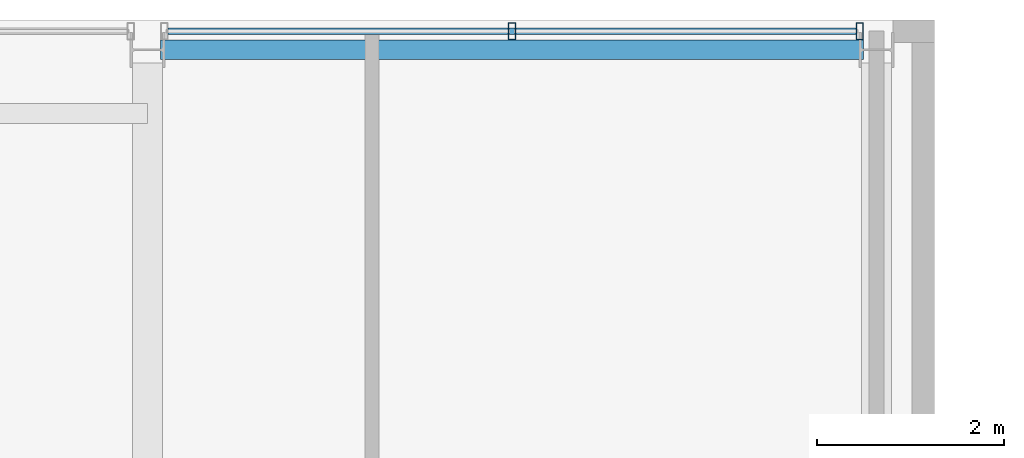
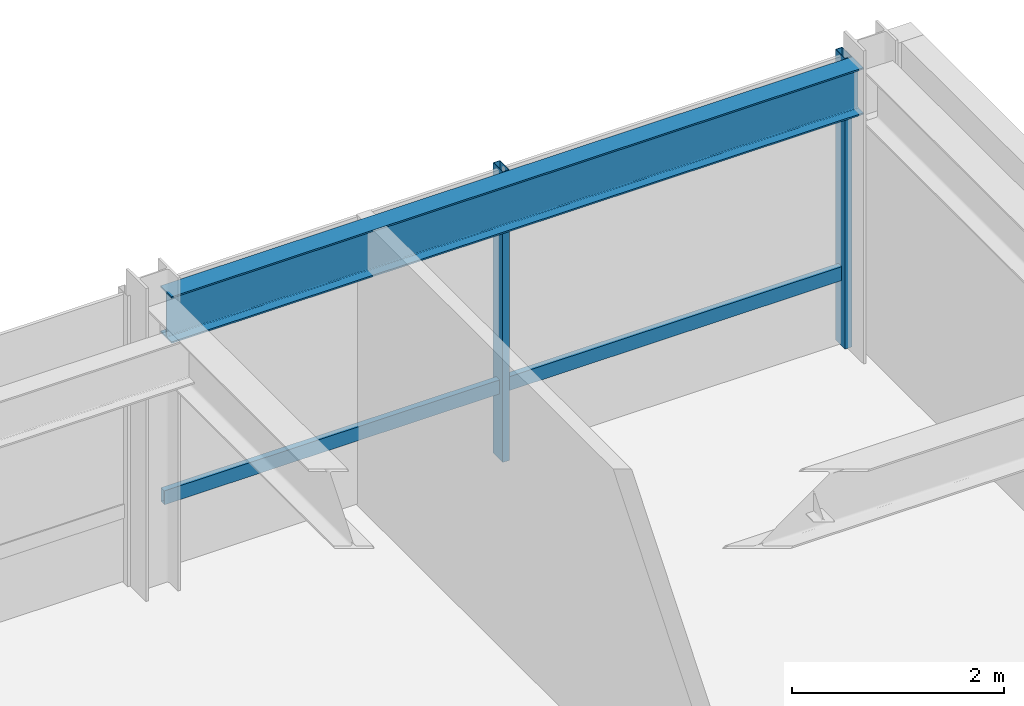
# One storey, part 24 of 32: 3 members, 1 beam, 1 element without a shape of its own.
"""IFC4 building model written with IfcOpenShell, lengths in metres."""

from ifc_helpers import new_model, si_unit, direction, frame, origin, origin_2d, place, context, subcontext, project, spatial, hollow_rectangle, i_section, extrude, material, layer, layer_set, material_profile, profile_set, type_object, element, aggregate, save


model = new_model("IFC4")

# Units and contexts
model_context = context("Model", 3, precision=1e-05, world=origin(), true_north=direction((0.0, 1.0)))
body_context = subcontext(model_context, "Body", "Model", "MODEL_VIEW")
ifc_project = project(units=[si_unit("LENGTHUNIT", "METRE"), si_unit("AREAUNIT", "SQUARE_METRE"), si_unit("VOLUMEUNIT", "CUBIC_METRE"), si_unit("PLANEANGLEUNIT", "RADIAN"), si_unit("MASSUNIT", "GRAM", prefix="KILO")], contexts=[model_context])

# Site, building, storey
site_placement = place(None, origin())
site = spatial("IfcSite", under=ifc_project, at=site_placement, CompositionType="ELEMENT")
building_placement = place(site_placement, origin())
building = spatial("IfcBuilding", under=site, at=building_placement, Name="Drelvath Grand Hotel", CompositionType="ELEMENT")
storey_placement = place(building_placement, frame((0.0, 0.0, 241.10009765625)))
storey = spatial("IfcBuildingStorey", under=building, at=storey_placement, Name="L63", CompositionType="ELEMENT", Elevation=241.10009765625)

# Curtain wall, members
ifc_material_1 = material(Name="Platinum-Mist Anodised Aluminium Frame", Category="aluminium")
ifc_layer = layer(ifc_material_1, 0.199951171875)
ifc_layer_set = layer_set([ifc_layer], Name="Platinum-Mist Anodised Aluminium Frame")
curtain_wall_type = type_object("IfcCurtainWallType", Name="Stick Curtain Wall CW-05 Platinum Mist High-Rise", PredefinedType="NOTDEFINED", material=ifc_layer_set)
curtain_wall_placement = place(storey_placement, origin())
curtain_wall = element("IfcCurtainWall", 1, at=curtain_wall_placement, inside=storey, type_object=curtain_wall_type, Name="L63 CW-05 Curtain Wall CW05-L63-NE2", PredefinedType="NOTDEFINED")
ifc_material_profile_1 = material_profile(ifc_material_1, hollow_rectangle(XDim=0.06494140625, YDim=0.159912109375, WallThickness=0.00390625, at=origin_2d()), Name="HSS160X65X4")
ifc_profile_set_1 = profile_set([ifc_material_profile_1], Name="Platinum-Mist Anodised Aluminium Frame")
member_type_1 = type_object("IfcMemberType", Name="Curtain Wall Horizontal Transom CW-05 HSS160X65X4", PredefinedType="USERDEFINED", material=ifc_profile_set_1)
member_1_placement = place(storey_placement, frame((8.6181640625, 49.080078125, 0.8349609375), z_axis=(1.0, 0.0, 0.0), x_axis=(0.0, 1.0, 0.0)))
member_1 = element("IfcMember", 2, at=member_1_placement, type_object=member_type_1, Name="CW05-L63-NE2 Sill Transom", ObjectType="TRANSOM", PredefinedType="USERDEFINED", context=body_context, shape_type="SweptSolid", body=[
    extrude(hollow_rectangle(XDim=0.06494140625, YDim=0.159912109375, WallThickness=0.00390625, at=origin_2d()), origin(), (0.0, 0.0, 1.0), 7.363525390625),
])
ifc_material_profile_2 = material_profile(ifc_material_1, hollow_rectangle(XDim=0.074951171875, YDim=0.179931640625, WallThickness=0.0048828125, at=origin_2d()), Name="HSS180X75X5")
ifc_profile_set_2 = profile_set([ifc_material_profile_2], Name="Platinum-Mist Anodised Aluminium Frame")
member_type_2 = type_object("IfcMemberType", Name="Curtain Wall Vertical Mullion CW-05 HSS180X75X5", PredefinedType="MULLION", material=ifc_profile_set_2)
member_2_placement = place(storey_placement, frame((12.300048828125, 49.080078125, 0.0), z_axis=(0.0, 0.0, 1.0), x_axis=(1.0, 0.0, 0.0)))
member_2 = element("IfcMember", 3, at=member_2_placement, type_object=member_type_2, Name="CW05-L63-NE2 Mullion 2", PredefinedType="MULLION", context=body_context, shape_type="SweptSolid", body=[
    extrude(hollow_rectangle(XDim=0.074951171875, YDim=0.179931640625, WallThickness=0.0048828125, at=origin_2d()), origin(), (0.0, 0.0, 1.0), 3.33984375),
])
member_3_placement = place(storey_placement, frame((16.021728515625, 49.080078125, 0.0), z_axis=(0.0, 0.0, 1.0), x_axis=(1.0, 0.0, 0.0)))
member_3 = element("IfcMember", 4, at=member_3_placement, type_object=member_type_2, Name="CW05-L63-NE2 Mullion 3", PredefinedType="MULLION", context=body_context, shape_type="SweptSolid", body=[
    extrude(hollow_rectangle(XDim=0.074951171875, YDim=0.179931640625, WallThickness=0.0048828125, at=origin_2d()), origin(), (0.0, 0.0, 1.0), 3.33984375),
])
aggregate(curtain_wall, [member_2, member_3, member_1])

# Beam
ifc_material_2 = material(Name="Steel ASTM A992 Gr 50", Category="steel")
ifc_material_profile_3 = material_profile(ifc_material_2, i_section(OverallWidth=0.210205078125, OverallDepth=0.53662109375, WebThickness=0.010986328125, FlangeThickness=0.017333984375, FilletRadius=0.01806640625, at=origin_2d()), Name="W21X68")
ifc_profile_set_3 = profile_set([ifc_material_profile_3], Name="Steel ASTM A992 Gr 50")
beam_type = type_object("IfcBeamType", Name="Perimeter Spandrel Beam W21X68", PredefinedType="SPANDREL", material=ifc_profile_set_3)
beam_placement = place(storey_placement, frame((8.5400390625, 48.8798828125, 3.071533203125), z_axis=(1.0, 0.0, 0.0), x_axis=(0.0, 1.0, 0.0)))
element("IfcBeam", 5, at=beam_placement, inside=storey, type_object=beam_type, Name="L63 Spandrel North E", PredefinedType="SPANDREL", context=body_context, shape_type="SweptSolid", body=[
    extrude(i_section(OverallWidth=0.210205078125, OverallDepth=0.53662109375, WebThickness=0.010986328125, FlangeThickness=0.017333984375, FilletRadius=0.01806640625, at=origin_2d()), origin(), (0.0, 0.0, 1.0), 7.52001953125),
])

save(model, "model.ifc")
